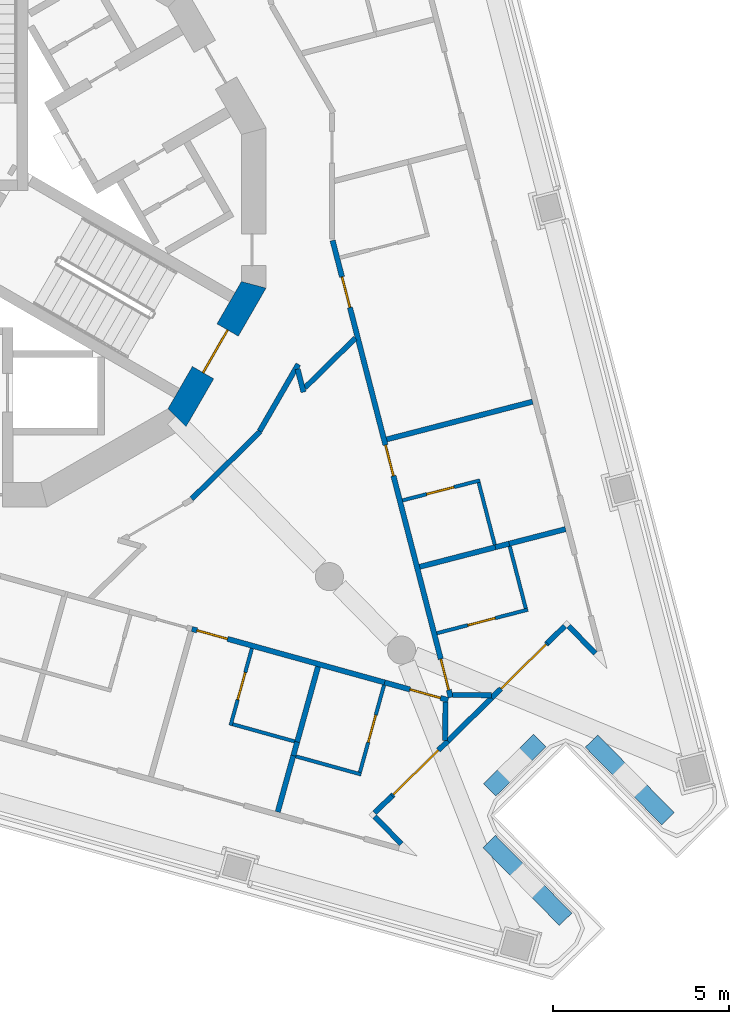
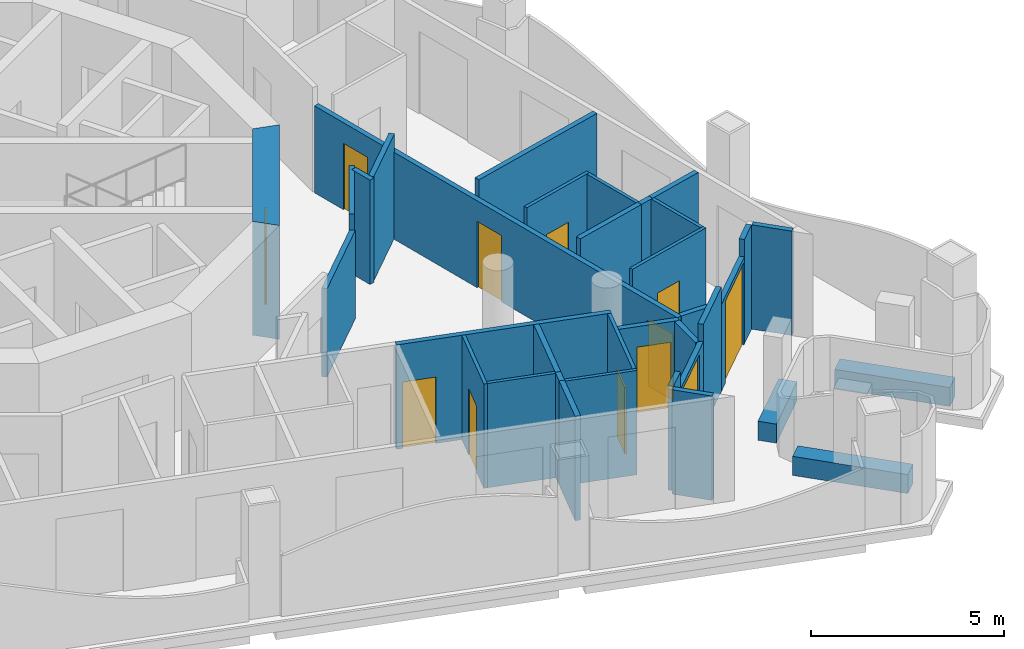
# One storey, part 6 of 15: 35 walls, 12 doors, 12 openings.
"""IFC4 building model written with IfcOpenShell, lengths in metres."""

from ifc_helpers import new_model, si_unit, direction, frame, frame_2d, origin, place, context, subcontext, project, spatial, polyline, rectangle, outline, extrude, material, layer, layer_set, type_object, element, fill, save


model = new_model("IFC4")

# Units and contexts
model_context = context("Model", 3, precision=1e-05, world=origin(), true_north=direction((0.0, 1.0)))
body_context = subcontext(model_context, "Body", "Model", "MODEL_VIEW")
ifc_project = project(units=[si_unit("LENGTHUNIT", "METRE"), si_unit("AREAUNIT", "SQUARE_METRE"), si_unit("VOLUMEUNIT", "CUBIC_METRE"), si_unit("PLANEANGLEUNIT", "RADIAN"), si_unit("MASSUNIT", "GRAM", prefix="KILO")], contexts=[model_context])

# Site, building, storey
site_placement = place(None, origin())
site = spatial("IfcSite", under=ifc_project, at=site_placement, CompositionType="ELEMENT")
building_placement = place(site_placement, origin())
building = spatial("IfcBuilding", under=site, at=building_placement, Name="Trine Commons Tower", CompositionType="ELEMENT")
storey_placement = place(building_placement, frame((0.0, 0.0, 256.5)))
storey = spatial("IfcBuildingStorey", under=building, at=storey_placement, Name="L67", CompositionType="ELEMENT", Elevation=256.5)

# Walls
ifc_material_1 = material(Name="Aluminium-framed insulated wall panel", Category="aluminium")
ifc_layer_1 = layer(ifc_material_1, 0.14990234375)
ifc_layer_set_1 = layer_set([ifc_layer_1], Name="Aluminium-framed insulated wall panel")
wall_type_1 = type_object("IfcWallType", Name="Glazed frame wall 150, EI 60", PredefinedType="SOLIDWALL", material=ifc_layer_set_1)
wall_1_placement = place(storey_placement, frame((97.966796875, 49.731201171875, 0.0), z_axis=(0.0, 0.0, 1.0), x_axis=(-0.700999978355, 0.71316129336, 0.0)))
element("IfcWall", 1, at=wall_1_placement, inside=storey, type_object=wall_type_1, Name="Glazed frame wall R6", PredefinedType="SOLIDWALL", context=body_context, shape_type="SweptSolid", body=[
    extrude(outline(polyline([(0.1494140625, 0.074951171875), (0.1494140625, -0.074951171875), (1.235107421875, -0.074951171875), (1.235107421875, 0.074951171875), (0.1494140625, 0.074951171875)])), origin(), (0.0, 0.0, 1.0), 3.300048828125),
])
wall_2_placement = place(storey_placement, frame((97.073486328125, 50.690185546875, 0.0), z_axis=(0.0, 0.0, 1.0), x_axis=(-0.713183853176, -0.700977026421, 0.0)))
element("IfcWall", 2, at=wall_2_placement, inside=storey, type_object=wall_type_1, Name="Glazed frame wall P2.1", PredefinedType="SOLIDWALL", context=body_context, shape_type="SweptSolid", body=[
    extrude(outline(polyline([(0.110107421875, -0.074951171875), (0.800048828125, -0.074951171875), (0.800048828125, 0.074951171875), (0.110107421875, 0.074951171875), (0.110107421875, -0.074951171875)])), origin(), (0.0, 0.0, 1.0), 3.300048828125),
])

# Wall, opening, door
wall_3_placement = place(storey_placement, frame((96.5029296875, 50.12939453125, 0.0), z_axis=(0.0, 0.0, 1.0), x_axis=(-0.713289197044, -0.70086983198, 0.0)))
wall_3 = element("IfcWall", 3, at=wall_3_placement, inside=storey, type_object=wall_type_1, Name="Glazed frame wall P2.2", PredefinedType="SOLIDWALL", context=body_context, shape_type="SweptSolid", body=[
    extrude(outline(polyline([(0.0, -0.074951171875), (2.221435546875, -0.074951171875), (2.221435546875, 0.074951171875), (0.0, 0.074951171875), (0.0, -0.074951171875)])), origin(), (0.0, 0.0, 1.0), 2.75),
])
opening_1_placement = place(wall_3_placement, frame((0.050048828125, 0.0, 0.0)))
opening_1 = element("IfcOpeningElement", 4, at=opening_1_placement, cuts=wall_3, Name="Opening BD-7P2-01", PredefinedType="OPENING", context=body_context, shape_type="SweptSolid", body=[
    extrude(rectangle(XDim=1.800048828125, YDim=2.60009765625, at=frame_2d((0.89990234375, 1.300048828125))), frame((0.0, 0.0849609375, 0.0), z_axis=(0.0, -1.0, 0.0), x_axis=(1.0, 0.0, 0.0)), (0.0, 0.0, 1.0), 0.169921875),
])
ifc_material_2 = material(Name="Anodised aluminium frame with double glazing", Category="aluminium")
door_type_1 = type_object("IfcDoorType", Name="Sliding loggia door 1800x2600", OperationType="SLIDING_TO_LEFT", PredefinedType="DOOR", material=ifc_material_2)
door_1_placement = place(opening_1_placement, origin())
door_1 = element("IfcDoor", 5, at=door_1_placement, inside=storey, type_object=door_type_1, Name="Loggia door P2 1", OperationType="SLIDING_TO_LEFT", OverallHeight=2.60009765625, OverallWidth=1.800048828125, PredefinedType="DOOR", context=body_context, shape_type="SweptSolid", body=[
    extrude(rectangle(XDim=1.800048828125, YDim=2.60009765625, at=frame_2d((0.89990234375, 1.300048828125))), frame((0.0, 0.02490234375, 0.0), z_axis=(0.0, -1.0, 0.0), x_axis=(1.0, 0.0, 0.0)), (0.0, 0.0, 1.0), 0.050048828125),
])
fill(opening_1, door_1)

# Wall
wall_4_placement = place(storey_placement, frame((94.91845703125, 48.572509765625, 0.0), z_axis=(0.0, 0.0, 1.0), x_axis=(-0.713193839807, -0.700966865737, 0.0)))
element("IfcWall", 6, at=wall_4_placement, inside=storey, type_object=wall_type_1, Name="Glazed frame wall P2.3", PredefinedType="SOLIDWALL", context=body_context, shape_type="SweptSolid", body=[
    extrude(outline(polyline([(0.0, -0.074951171875), (1.757080078125, -0.074951171875), (1.757080078125, 0.074951171875), (0.0, 0.074951171875), (0.0, -0.074951171875)])), origin(), (0.0, 0.0, 1.0), 3.300048828125),
])

# Wall, opening, door
wall_5_placement = place(storey_placement, frame((93.665283203125, 47.3408203125, 0.0), z_axis=(0.0, 0.0, 1.0), x_axis=(-0.713234254618, -0.700925743599, 0.0)))
wall_5 = element("IfcWall", 7, at=wall_5_placement, inside=storey, type_object=wall_type_1, Name="Glazed frame wall P2.4", PredefinedType="SOLIDWALL", context=body_context, shape_type="SweptSolid", body=[
    extrude(outline(polyline([(0.0, -0.074951171875), (2.221435546875, -0.074951171875), (2.221435546875, 0.074951171875), (0.0, 0.074951171875), (0.0, -0.074951171875)])), origin(), (0.0, 0.0, 1.0), 2.75),
])
opening_2_placement = place(wall_5_placement, frame((0.37158203125, 0.0, 0.0)))
opening_2 = element("IfcOpeningElement", 8, at=opening_2_placement, cuts=wall_5, Name="Opening BD-7P2-02", PredefinedType="OPENING", context=body_context, shape_type="SweptSolid", body=[
    extrude(rectangle(XDim=1.800048828125, YDim=2.60009765625, at=frame_2d((0.89990234375, 1.300048828125))), frame((0.0, 0.0849609375, 0.0), z_axis=(0.0, -1.0, 0.0), x_axis=(1.0, 0.0, 0.0)), (0.0, 0.0, 1.0), 0.169921875),
])
door_2_placement = place(opening_2_placement, origin())
door_2 = element("IfcDoor", 9, at=door_2_placement, inside=storey, type_object=door_type_1, Name="Loggia door P2 2", OperationType="SLIDING_TO_LEFT", OverallHeight=2.60009765625, OverallWidth=1.800048828125, PredefinedType="DOOR", context=body_context, shape_type="SweptSolid", body=[
    extrude(rectangle(XDim=1.800048828125, YDim=2.60009765625, at=frame_2d((0.89990234375, 1.300048828125))), frame((0.0, 0.02490234375, 0.0), z_axis=(0.0, -1.0, 0.0), x_axis=(1.0, 0.0, 0.0)), (0.0, 0.0, 1.0), 0.050048828125),
])
fill(opening_2, door_2)

# Walls
wall_6_placement = place(storey_placement, frame((92.080810546875, 45.78369140625, 0.0), z_axis=(0.0, 0.0, 1.0), x_axis=(-0.713333755576, -0.700824480991, 0.0)))
element("IfcWall", 10, at=wall_6_placement, inside=storey, type_object=wall_type_1, Name="Glazed frame wall P2.5", PredefinedType="SOLIDWALL", context=body_context, shape_type="SweptSolid", body=[
    extrude(outline(polyline([(0.68994140625, 0.074951171875), (0.0, 0.074951171875), (0.0, -0.074951171875), (0.68994140625, -0.074951171875), (0.68994140625, 0.074951171875)])), origin(), (0.0, 0.0, 1.0), 3.300048828125),
])
wall_7_placement = place(storey_placement, frame((91.510498046875, 45.2724609375, 0.0), z_axis=(0.0, 0.0, 1.0), x_axis=(0.700999978355, -0.71316129336, 0.0)))
element("IfcWall", 11, at=wall_7_placement, inside=storey, type_object=wall_type_1, Name="Glazed frame wall R8", PredefinedType="SOLIDWALL", context=body_context, shape_type="SweptSolid", body=[
    extrude(outline(polyline([(0.110107421875, 0.074951171875), (0.110107421875, -0.074951171875), (1.19580078125, -0.074951171875), (1.19580078125, 0.074951171875), (0.110107421875, 0.074951171875)])), origin(), (0.0, 0.0, 1.0), 3.300048828125),
])
ifc_material_3 = material(Name="Planter trough, precast concrete C40/50", Category="concrete")
ifc_layer_2 = layer(ifc_material_3, 0.5)
ifc_layer_set_2 = layer_set([ifc_layer_2], Name="Planter trough, precast concrete C40/50")
wall_type_2 = type_object("IfcWallType", Name="Planter trough 500x600", PredefinedType="PARAPET", material=ifc_layer_set_2)
wall_8_placement = place(storey_placement, frame((99.927734375, 45.1318359375, 0.0), z_axis=(0.0, 0.0, 1.0), x_axis=(-0.700897681372, 0.713261831481, 0.0)))
element("IfcWall", 12, at=wall_8_placement, inside=storey, type_object=wall_type_2, Name="Planter 7", PredefinedType="PARAPET", context=body_context, shape_type="SweptSolid", body=[
    extrude(rectangle(XDim=3.10009765625, YDim=0.5, at=frame_2d((1.550048828125, 0.0))), origin(), (0.0, 0.0, 1.0), 0.60009765625),
])
wall_9_placement = place(storey_placement, frame((96.2841796875, 47.355712890625, 0.0), z_axis=(0.0, 0.0, 1.0), x_axis=(-0.713305380591, -0.700853361282, 0.0)))
element("IfcWall", 13, at=wall_9_placement, inside=storey, type_object=wall_type_2, Name="Planter 8", PredefinedType="PARAPET", context=body_context, shape_type="SweptSolid", body=[
    extrude(rectangle(XDim=1.999755859375, YDim=0.5, at=frame_2d((1.0, 0.0))), origin(), (0.0, 0.0, 1.0), 0.60009765625),
])
wall_10_placement = place(storey_placement, frame((94.844970703125, 44.4833984375, 0.0), z_axis=(0.0, 0.0, 1.0), x_axis=(0.700857613291, -0.713301202784, 0.0)))
element("IfcWall", 14, at=wall_10_placement, inside=storey, type_object=wall_type_2, Name="Planter 9", PredefinedType="PARAPET", context=body_context, shape_type="SweptSolid", body=[
    extrude(rectangle(XDim=3.099853515625, YDim=0.5, at=frame_2d((1.5498046875, 0.0))), origin(), (0.0, 0.0, 1.0), 0.60009765625),
])

# Wall, opening, door
ifc_material_4 = material(Name="Concrete C50/60", Category="concrete")
ifc_layer_3 = layer(ifc_material_4, 0.699951171875)
ifc_layer_set_3 = layer_set([ifc_layer_3], Name="Concrete C50/60")
wall_type_3 = type_object("IfcWallType", Name="RC shear wall 700 mm, C50/60", PredefinedType="SHEAR", material=ifc_layer_set_3)
wall_11_placement = place(storey_placement, frame((85.91943359375, 56.452392578125, 0.0), z_axis=(0.0, 0.0, 1.0), x_axis=(0.499983800959, 0.866034756103, 0.0)))
wall_11 = element("IfcWall", 15, at=wall_11_placement, inside=storey, type_object=wall_type_3, Name="Core wall CWG-12 L67", PredefinedType="SHEAR", context=body_context, shape_type="SweptSolid", body=[
    extrude(outline(polyline([(0.0, -0.35009765625), (4.55517578125, -0.35009765625), (4.36767578125, 0.35009765625), (0.1875, 0.35009765625), (0.0, -0.35009765625)])), origin(), (0.0, 0.0, 1.0), 3.60009765625),
])
opening_3_placement = place(wall_11_placement, frame((1.577392578125, 0.0, 0.0)))
opening_3 = element("IfcOpeningElement", 16, at=opening_3_placement, cuts=wall_11, Name="Opening K15.03", PredefinedType="OPENING", context=body_context, shape_type="SweptSolid", body=[
    extrude(rectangle(XDim=1.39990234375, YDim=2.10009765625, at=frame_2d((0.699951171875, 1.050048828125))), frame((0.0, 0.35986328125, 0.0), z_axis=(0.0, -1.0, 0.0), x_axis=(1.0, 0.0, 0.0)), (0.0, 0.0, 1.0), 0.719970703125),
])
ifc_material_5 = material(Name="Steel door leaves, fire-rated", Category="steel")
door_type_2 = type_object("IfcDoorType", Name="Stair door, double leaf 1400 x 2100, FD90", OperationType="DOUBLE_DOOR_SINGLE_SWING", PredefinedType="DOOR", material=ifc_material_5)
door_3_placement = place(opening_3_placement, origin())
door_3 = element("IfcDoor", 17, at=door_3_placement, inside=storey, type_object=door_type_2, Name="Stair door to Exit stair ST3C L67", OperationType="DOUBLE_DOOR_SINGLE_SWING", OverallHeight=2.10009765625, OverallWidth=1.39990234375, PredefinedType="DOOR", context=body_context, shape_type="SweptSolid", body=[
    extrude(rectangle(XDim=1.39990234375, YDim=2.10009765625, at=frame_2d((0.699951171875, 1.050048828125))), frame((0.0, 0.02490234375, 0.0), z_axis=(0.0, -1.0, 0.0), x_axis=(1.0, 0.0, 0.0)), (0.0, 0.0, 1.0), 0.050048828125),
])
fill(opening_3, door_3)

# Wall
ifc_material_6 = material(Name="Gypsum plasterboard on steel stud", Category="steel")
ifc_layer_4 = layer(ifc_material_6, 0.14990234375)
ifc_layer_set_4 = layer_set([ifc_layer_4], Name="Gypsum plasterboard on steel stud")
wall_type_4 = type_object("IfcWallType", Name="Unit and corridor wall 150 mm, EI 60", PredefinedType="PARTITIONING", material=ifc_layer_set_4)
wall_12_placement = place(storey_placement, frame((86.384521484375, 54.2275390625, 0.0), z_axis=(0.0, 0.0, 1.0), x_axis=(0.713113779806, 0.701048312922, 0.0)))
element("IfcWall", 18, at=wall_12_placement, inside=storey, type_object=wall_type_4, Name="Partition 083", PredefinedType="PARTITIONING", context=body_context, shape_type="SweptSolid", body=[
    extrude(rectangle(XDim=2.731689453125, YDim=0.14990234375, at=frame_2d((1.36572265625, 0.0))), origin(), (0.0, 0.0, 1.0), 2.800048828125),
])

# Wall, opening, door
wall_13_placement = place(storey_placement, frame((86.39111328125, 50.529052734375, 0.0), z_axis=(0.0, 0.0, 1.0), x_axis=(0.963638337946, -0.267209943005, 0.0)))
wall_13 = element("IfcWall", 19, at=wall_13_placement, inside=storey, type_object=wall_type_4, Name="Partition 084", PredefinedType="PARTITIONING", context=body_context, shape_type="SweptSolid", body=[
    extrude(rectangle(XDim=5.74609375, YDim=0.14990234375, at=frame_2d((2.873046875, 0.0))), origin(), (0.0, 0.0, 1.0), 3.300048828125),
])
opening_4_placement = place(wall_13_placement, frame((0.14990234375, 0.0, 0.0)))
opening_4 = element("IfcOpeningElement", 20, at=opening_4_placement, cuts=wall_13, Name="Opening D-7C19", PredefinedType="OPENING", context=body_context, shape_type="SweptSolid", body=[
    extrude(rectangle(XDim=0.89990234375, YDim=2.10009765625, at=frame_2d((0.449951171875, 1.050048828125))), frame((0.0, 0.0849609375, 0.0), z_axis=(0.0, -1.0, 0.0), x_axis=(1.0, 0.0, 0.0)), (0.0, 0.0, 1.0), 0.169921875),
])
ifc_material_7 = material(Name="Timber fire door set", Category="wood")
door_type_3 = type_object("IfcDoorType", Name="Bedroom door 900 x 2100, FD30S", OperationType="NOTDEFINED", PredefinedType="DOOR", material=ifc_material_7)
door_4_placement = place(opening_4_placement, frame((0.89990234375, 0.0, 0.0), z_axis=(0.0, 0.0, 1.0), x_axis=(-1.0, 0.0, 0.0)))
door_4 = element("IfcDoor", 21, at=door_4_placement, inside=storey, type_object=door_type_3, Name="Door D-7C19", OperationType="SINGLE_SWING_RIGHT", OverallHeight=2.10009765625, OverallWidth=0.89990234375, PredefinedType="DOOR", context=body_context, shape_type="SweptSolid", body=[
    extrude(rectangle(XDim=0.89990234375, YDim=2.10009765625, at=frame_2d((0.449951171875, 1.050048828125))), frame((0.0, 0.02490234375, 0.0), z_axis=(0.0, -1.0, 0.0), x_axis=(1.0, 0.0, 0.0)), (0.0, 0.0, 1.0), 0.050048828125),
])
fill(opening_4, door_4)

# Walls
wall_14_placement = place(storey_placement, frame((88.31640625, 56.15478515625, 0.0), z_axis=(0.0, 0.0, 1.0), x_axis=(0.500129524705, 0.865950609745, 0.0)))
element("IfcWall", 22, at=wall_14_placement, inside=storey, type_object=wall_type_4, Name="Partition 093", PredefinedType="PARTITIONING", context=body_context, shape_type="SweptSolid", body=[
    extrude(rectangle(XDim=2.19775390625, YDim=0.14990234375, at=frame_2d((1.098876953125, 0.0))), origin(), (0.0, 0.0, 1.0), 3.300048828125),
])
wall_15_placement = place(storey_placement, frame((88.832763671875, 45.327392578125, 0.0), z_axis=(0.0, 0.0, 1.0), x_axis=(0.266961047932, 0.963707320138, 0.0)))
element("IfcWall", 23, at=wall_15_placement, inside=storey, type_object=wall_type_4, Name="Partition 097", PredefinedType="PARTITIONING", context=body_context, shape_type="SweptSolid", body=[
    extrude(rectangle(XDim=1.659912109375, YDim=0.14990234375, at=frame_2d((0.830078125, 0.0))), origin(), (0.0, 0.0, 1.0), 3.300048828125),
])
wall_16_placement = place(storey_placement, frame((89.27587890625, 46.927001953125, 0.0), z_axis=(0.0, 0.0, 1.0), x_axis=(0.267924588636, 0.963439886451, 0.0)))
element("IfcWall", 24, at=wall_16_placement, inside=storey, type_object=wall_type_4, Name="Partition 099", PredefinedType="PARTITIONING", context=body_context, shape_type="SweptSolid", body=[
    extrude(rectangle(XDim=0.403564453125, YDim=0.14990234375, at=frame_2d((0.20166015625, 0.0))), origin(), (0.0, 0.0, 1.0), 3.300048828125),
])
wall_17_placement = place(storey_placement, frame((89.396728515625, 57.92041015625, 0.0), z_axis=(0.0, 0.0, 1.0), x_axis=(0.249398389606, -0.968400972357, 0.0)))
element("IfcWall", 25, at=wall_17_placement, inside=storey, type_object=wall_type_4, Name="Partition 101", PredefinedType="PARTITIONING", context=body_context, shape_type="SweptSolid", body=[
    extrude(rectangle(XDim=0.677490234375, YDim=0.14990234375, at=frame_2d((0.3388671875, 0.0))), origin(), (0.0, 0.0, 1.0), 3.300048828125),
])
wall_18_placement = place(storey_placement, frame((89.36865234375, 47.259765625, 0.0), z_axis=(0.0, 0.0, 1.0), x_axis=(0.266876022504, 0.963730869388, 0.0)))
element("IfcWall", 26, at=wall_18_placement, inside=storey, type_object=wall_type_4, Name="Partition 102", PredefinedType="PARTITIONING", context=body_context, shape_type="SweptSolid", body=[
    extrude(rectangle(XDim=2.27978515625, YDim=0.14990234375, at=frame_2d((1.139892578125, 0.0))), origin(), (0.0, 0.0, 1.0), 3.300048828125),
])
wall_19_placement = place(storey_placement, frame((89.60546875, 57.3896484375, 0.0), z_axis=(0.0, 0.0, 1.0), x_axis=(0.713082264155, 0.701080369535, 0.0)))
element("IfcWall", 27, at=wall_19_placement, inside=storey, type_object=wall_type_4, Name="Partition 106", PredefinedType="PARTITIONING", context=body_context, shape_type="SweptSolid", body=[
    extrude(rectangle(XDim=2.013916015625, YDim=0.14990234375, at=frame_2d((1.0068359375, 0.0))), origin(), (0.0, 0.0, 1.0), 3.300048828125),
])

# Wall, openings, doors
wall_20_placement = place(storey_placement, frame((90.39208984375, 61.576904296875, 0.0), z_axis=(0.0, 0.0, 1.0), x_axis=(0.250222915492, -0.968188252646, 0.0)))
wall_20 = element("IfcWall", 28, at=wall_20_placement, inside=storey, type_object=wall_type_4, Name="Partition 109", PredefinedType="PARTITIONING", context=body_context, shape_type="SweptSolid", body=[
    extrude(rectangle(XDim=13.422607421875, YDim=0.14990234375, at=frame_2d((6.71142578125, 0.0))), origin(), (0.0, 0.0, 1.0), 2.75),
])
opening_5_placement = place(wall_20_placement, frame((1.06884765625, 0.0, 0.0)))
opening_5 = element("IfcOpeningElement", 29, at=opening_5_placement, cuts=wall_20, Name="Opening D-7C15", PredefinedType="OPENING", context=body_context, shape_type="SweptSolid", body=[
    extrude(rectangle(XDim=0.89990234375, YDim=2.10009765625, at=frame_2d((0.449951171875, 1.050048828125))), frame((0.0, 0.0849609375, 0.0), z_axis=(0.0, -1.0, 0.0), x_axis=(1.0, 0.0, 0.0)), (0.0, 0.0, 1.0), 0.169921875),
])
opening_6_placement = place(wall_20_placement, frame((6.011962890625, 0.0, 0.0)))
opening_6 = element("IfcOpeningElement", 30, at=opening_6_placement, cuts=wall_20, Name="Opening D-7C16", PredefinedType="OPENING", context=body_context, shape_type="SweptSolid", body=[
    extrude(rectangle(XDim=0.89990234375, YDim=2.10009765625, at=frame_2d((0.449951171875, 1.050048828125))), frame((0.0, 0.0849609375, 0.0), z_axis=(0.0, -1.0, 0.0), x_axis=(1.0, 0.0, 0.0)), (0.0, 0.0, 1.0), 0.169921875),
])
opening_7_placement = place(wall_20_placement, frame((12.297607421875, 0.0, 0.0)))
opening_7 = element("IfcOpeningElement", 31, at=opening_7_placement, cuts=wall_20, Name="Opening D-7C17", PredefinedType="OPENING", context=body_context, shape_type="SweptSolid", body=[
    extrude(rectangle(XDim=0.89990234375, YDim=2.10009765625, at=frame_2d((0.449951171875, 1.050048828125))), frame((0.0, 0.0849609375, 0.0), z_axis=(0.0, -1.0, 0.0), x_axis=(1.0, 0.0, 0.0)), (0.0, 0.0, 1.0), 0.169921875),
])
door_5_placement = place(opening_5_placement, origin())
door_5 = element("IfcDoor", 32, at=door_5_placement, inside=storey, type_object=door_type_3, Name="Door D-7C15", OperationType="SINGLE_SWING_LEFT", OverallHeight=2.10009765625, OverallWidth=0.89990234375, PredefinedType="DOOR", context=body_context, shape_type="SweptSolid", body=[
    extrude(rectangle(XDim=0.89990234375, YDim=2.10009765625, at=frame_2d((0.449951171875, 1.050048828125))), frame((0.0, 0.02490234375, 0.0), z_axis=(0.0, -1.0, 0.0), x_axis=(1.0, 0.0, 0.0)), (0.0, 0.0, 1.0), 0.050048828125),
])
fill(opening_5, door_5)
door_6_placement = place(opening_6_placement, origin())
door_6 = element("IfcDoor", 33, at=door_6_placement, inside=storey, type_object=door_type_3, Name="Door D-7C16", OperationType="SINGLE_SWING_LEFT", OverallHeight=2.10009765625, OverallWidth=0.89990234375, PredefinedType="DOOR", context=body_context, shape_type="SweptSolid", body=[
    extrude(rectangle(XDim=0.89990234375, YDim=2.10009765625, at=frame_2d((0.449951171875, 1.050048828125))), frame((0.0, 0.02490234375, 0.0), z_axis=(0.0, -1.0, 0.0), x_axis=(1.0, 0.0, 0.0)), (0.0, 0.0, 1.0), 0.050048828125),
])
fill(opening_6, door_6)
door_7_placement = place(opening_7_placement, origin())
door_7 = element("IfcDoor", 34, at=door_7_placement, inside=storey, type_object=door_type_3, Name="Door D-7C17", OperationType="SINGLE_SWING_RIGHT", OverallHeight=2.10009765625, OverallWidth=0.89990234375, PredefinedType="DOOR", context=body_context, shape_type="SweptSolid", body=[
    extrude(rectangle(XDim=0.89990234375, YDim=2.10009765625, at=frame_2d((0.449951171875, 1.050048828125))), frame((0.0, 0.02490234375, 0.0), z_axis=(0.0, -1.0, 0.0), x_axis=(1.0, 0.0, 0.0)), (0.0, 0.0, 1.0), 0.050048828125),
])
fill(opening_7, door_7)

# Wall
wall_21_placement = place(storey_placement, frame((91.9296875, 55.919921875, 0.0), z_axis=(0.0, 0.0, 1.0), x_axis=(0.968143339783, 0.250396632634, 0.0)))
element("IfcWall", 35, at=wall_21_placement, inside=storey, type_object=wall_type_4, Name="Partition 114", PredefinedType="PARTITIONING", context=body_context, shape_type="SweptSolid", body=[
    extrude(rectangle(XDim=4.28515625, YDim=0.14990234375, at=frame_2d((2.142578125, 0.0))), origin(), (0.0, 0.0, 1.0), 3.300048828125),
])

# Wall, opening, door
wall_22_placement = place(storey_placement, frame((91.8720703125, 49.009033203125, 0.0), z_axis=(0.0, 0.0, 1.0), x_axis=(0.963678404511, -0.26706540899, 0.0)))
wall_22 = element("IfcWall", 36, at=wall_22_placement, inside=storey, type_object=wall_type_4, Name="Partition 115", PredefinedType="PARTITIONING", context=body_context, shape_type="SweptSolid", body=[
    extrude(rectangle(XDim=1.872314453125, YDim=0.14990234375, at=frame_2d((0.93603515625, 0.0))), origin(), (0.0, 0.0, 1.0), 2.75),
])
opening_8_placement = place(wall_22_placement, frame((0.747314453125, 0.0, 0.0)))
opening_8 = element("IfcOpeningElement", 37, at=opening_8_placement, cuts=wall_22, Name="Opening D-7C18", PredefinedType="OPENING", context=body_context, shape_type="SweptSolid", body=[
    extrude(rectangle(XDim=0.89990234375, YDim=2.10009765625, at=frame_2d((0.449951171875, 1.050048828125))), frame((0.0, 0.0849609375, 0.0), z_axis=(0.0, -1.0, 0.0), x_axis=(1.0, 0.0, 0.0)), (0.0, 0.0, 1.0), 0.169921875),
])
door_8_placement = place(opening_8_placement, frame((0.89990234375, 0.0, 0.0), z_axis=(0.0, 0.0, 1.0), x_axis=(-1.0, 0.0, 0.0)))
door_8 = element("IfcDoor", 38, at=door_8_placement, inside=storey, type_object=door_type_3, Name="Door D-7C18", OperationType="SINGLE_SWING_LEFT", OverallHeight=2.10009765625, OverallWidth=0.89990234375, PredefinedType="DOOR", context=body_context, shape_type="SweptSolid", body=[
    extrude(rectangle(XDim=0.89990234375, YDim=2.10009765625, at=frame_2d((0.449951171875, 1.050048828125))), frame((0.0, 0.02490234375, 0.0), z_axis=(0.0, -1.0, 0.0), x_axis=(1.0, 0.0, 0.0)), (0.0, 0.0, 1.0), 0.050048828125),
])
fill(opening_8, door_8)

# Walls
wall_23_placement = place(storey_placement, frame((92.86767578125, 52.296875, 0.0), z_axis=(0.0, 0.0, 1.0), x_axis=(0.968121216345, 0.250482155975, 0.0)))
element("IfcWall", 39, at=wall_23_placement, inside=storey, type_object=wall_type_4, Name="Partition 119", PredefinedType="PARTITIONING", context=body_context, shape_type="SweptSolid", body=[
    extrude(rectangle(XDim=2.22412109375, YDim=0.14990234375, at=frame_2d((1.112060546875, 0.0))), origin(), (0.0, 0.0, 1.0), 3.300048828125),
])
for number, where, z_axis, x_axis, name in (
    (40, (93.589599609375, 47.35595703125, 0.0), (0.0, 0.0, 1.0), (0.012226742726, 0.999925250587, 0.0), "Partition 121"),
    (41, (93.806884765625, 48.653564453125, 0.0), (0.0, 0.0, 1.0), (0.999983294214, -0.005780250256, 0.0), "Partition 122"),
):
    element("IfcWall", number, at=place(storey_placement, frame(where, z_axis=z_axis, x_axis=x_axis)), inside=storey, type_object=wall_type_4, Name=name, PredefinedType="PARTITIONING", context=body_context, shape_type="SweptSolid", body=[
        extrude(rectangle(XDim=1.09814453125, YDim=0.14990234375, at=frame_2d((0.549072265625, 0.0))), origin(), (0.0, 0.0, 1.0), 2.75),
    ])
wall_24_placement = place(storey_placement, frame((95.02099609375, 52.85400390625, 0.0), z_axis=(0.0, 0.0, 1.0), x_axis=(0.968343173742, 0.249622711039, 0.0)))
element("IfcWall", 42, at=wall_24_placement, inside=storey, type_object=wall_type_4, Name="Partition 124", PredefinedType="PARTITIONING", context=body_context, shape_type="SweptSolid", body=[
    extrude(rectangle(XDim=0.405029296875, YDim=0.14990234375, at=frame_2d((0.20263671875, 0.0))), origin(), (0.0, 0.0, 1.0), 3.300048828125),
])
wall_25_placement = place(storey_placement, frame((95.405029296875, 52.952880859375, 0.0), z_axis=(0.0, 0.0, 1.0), x_axis=(0.968213134731, 0.250126619403, 0.0)))
element("IfcWall", 43, at=wall_25_placement, inside=storey, type_object=wall_type_4, Name="Partition 125", PredefinedType="PARTITIONING", context=body_context, shape_type="SweptSolid", body=[
    extrude(rectangle(XDim=1.663330078125, YDim=0.14990234375, at=frame_2d((0.83154296875, 0.0))), origin(), (0.0, 0.0, 1.0), 3.300048828125),
])

# Wall, opening, door
ifc_layer_5 = layer(ifc_material_6, 0.10009765625)
ifc_layer_set_5 = layer_set([ifc_layer_5], Name="Gypsum plasterboard on steel stud")
wall_type_5 = type_object("IfcWallType", Name="Unit partition 100 mm, no rating", PredefinedType="PARTITIONING", material=ifc_layer_set_5)
wall_26_placement = place(storey_placement, frame((87.490478515625, 47.785888671875, 0.0), z_axis=(0.0, 0.0, 1.0), x_axis=(0.267056991967, 0.963680737092, 0.0)))
wall_26 = element("IfcWall", 44, at=wall_26_placement, inside=storey, type_object=wall_type_5, Name="Partition 087", PredefinedType="PARTITIONING", context=body_context, shape_type="SweptSolid", body=[
    extrude(rectangle(XDim=2.2744140625, YDim=0.10009765625, at=frame_2d((1.13720703125, 0.0))), origin(), (0.0, 0.0, 1.0), 3.300048828125),
])
opening_9_placement = place(wall_26_placement, frame((0.76220703125, 0.0, 0.0)))
opening_9 = element("IfcOpeningElement", 45, at=opening_9_placement, cuts=wall_26, Name="Opening D-7C40", PredefinedType="OPENING", context=body_context, shape_type="SweptSolid", body=[
    extrude(rectangle(XDim=0.800048828125, YDim=2.10009765625, at=frame_2d((0.39990234375, 1.050048828125))), frame((0.0, 0.06005859375, 0.0), z_axis=(0.0, -1.0, 0.0), x_axis=(1.0, 0.0, 0.0)), (0.0, 0.0, 1.0), 0.1201171875),
])
ifc_material_8 = material(Name="Painted timber", Category="wood")
door_type_4 = type_object("IfcDoorType", Name="Internal door 800 x 2100, NOT RATED", OperationType="NOTDEFINED", PredefinedType="DOOR", material=ifc_material_8)
door_9_placement = place(opening_9_placement, origin())
door_9 = element("IfcDoor", 46, at=door_9_placement, inside=storey, type_object=door_type_4, Name="Door D-7C40", OperationType="SINGLE_SWING_RIGHT", OverallHeight=2.10009765625, OverallWidth=0.800048828125, PredefinedType="DOOR", context=body_context, shape_type="SweptSolid", body=[
    extrude(rectangle(XDim=0.800048828125, YDim=2.10009765625, at=frame_2d((0.39990234375, 1.050048828125))), frame((0.0, 0.02490234375, 0.0), z_axis=(0.0, -1.0, 0.0), x_axis=(1.0, 0.0, 0.0)), (0.0, 0.0, 1.0), 0.050048828125),
])
fill(opening_9, door_9)

# Walls
wall_27_placement = place(storey_placement, frame((87.55224609375, 47.820556640625, 0.0), z_axis=(0.0, 0.0, 1.0), x_axis=(0.963512160179, -0.267664560949, 0.0)))
element("IfcWall", 47, at=wall_27_placement, inside=storey, type_object=wall_type_5, Name="Partition 088", PredefinedType="PARTITIONING", context=body_context, shape_type="SweptSolid", body=[
    extrude(rectangle(XDim=1.8251953125, YDim=0.10009765625, at=frame_2d((0.91259765625, 0.0))), origin(), (0.0, 0.0, 1.0), 3.300048828125),
])
wall_28_placement = place(storey_placement, frame((89.348388671875, 46.906982421875, 0.0), z_axis=(0.0, 0.0, 1.0), x_axis=(0.963625049046, -0.267257862095, 0.0)))
element("IfcWall", 48, at=wall_28_placement, inside=storey, type_object=wall_type_5, Name="Partition 100", PredefinedType="PARTITIONING", context=body_context, shape_type="SweptSolid", body=[
    extrude(rectangle(XDim=1.9248046875, YDim=0.10009765625, at=frame_2d((0.96240234375, 0.0))), origin(), (0.0, 0.0, 1.0), 3.300048828125),
])

# Wall, opening, door
wall_29_placement = place(storey_placement, frame((91.16845703125, 46.4541015625, 0.0), z_axis=(0.0, 0.0, 1.0), x_axis=(0.266973908606, 0.96370375745, 0.0)))
wall_29 = element("IfcWall", 49, at=wall_29_placement, inside=storey, type_object=wall_type_5, Name="Partition 112", PredefinedType="PARTITIONING", context=body_context, shape_type="SweptSolid", body=[
    extrude(rectangle(XDim=2.5751953125, YDim=0.10009765625, at=frame_2d((1.28759765625, 0.0))), origin(), (0.0, 0.0, 1.0), 3.300048828125),
])
opening_10_placement = place(wall_29_placement, frame((0.8876953125, 0.0, 0.0)))
opening_10 = element("IfcOpeningElement", 50, at=opening_10_placement, cuts=wall_29, Name="Opening D-7C39", PredefinedType="OPENING", context=body_context, shape_type="SweptSolid", body=[
    extrude(rectangle(XDim=0.800048828125, YDim=2.10009765625, at=frame_2d((0.39990234375, 1.050048828125))), frame((0.0, 0.06005859375, 0.0), z_axis=(0.0, -1.0, 0.0), x_axis=(1.0, 0.0, 0.0)), (0.0, 0.0, 1.0), 0.1201171875),
])
door_10_placement = place(opening_10_placement, frame((0.800048828125, 0.0, 0.0), z_axis=(0.0, 0.0, 1.0), x_axis=(-1.0, 0.0, 0.0)))
door_10 = element("IfcDoor", 51, at=door_10_placement, inside=storey, type_object=door_type_4, Name="Door D-7C39", OperationType="SINGLE_SWING_LEFT", OverallHeight=2.10009765625, OverallWidth=0.800048828125, PredefinedType="DOOR", context=body_context, shape_type="SweptSolid", body=[
    extrude(rectangle(XDim=0.800048828125, YDim=2.10009765625, at=frame_2d((0.39990234375, 1.050048828125))), frame((0.0, 0.02490234375, 0.0), z_axis=(0.0, -1.0, 0.0), x_axis=(1.0, 0.0, 0.0)), (0.0, 0.0, 1.0), 0.050048828125),
])
fill(opening_10, door_10)

wall_30_placement = place(storey_placement, frame((92.378662109375, 54.184814453125, 0.0), z_axis=(0.0, 0.0, 1.0), x_axis=(0.968154087165, 0.250355074856, 0.0)))
wall_30 = element("IfcWall", 52, at=wall_30_placement, inside=storey, type_object=wall_type_5, Name="Partition 116", PredefinedType="PARTITIONING", context=body_context, shape_type="SweptSolid", body=[
    extrude(rectangle(XDim=2.275146484375, YDim=0.10009765625, at=frame_2d((1.1376953125, 0.0))), origin(), (0.0, 0.0, 1.0), 3.300048828125),
])
opening_11_placement = place(wall_30_placement, frame((0.712646484375, 0.0, 0.0)))
opening_11 = element("IfcOpeningElement", 53, at=opening_11_placement, cuts=wall_30, Name="Opening D-7C37", PredefinedType="OPENING", context=body_context, shape_type="SweptSolid", body=[
    extrude(rectangle(XDim=0.800048828125, YDim=2.10009765625, at=frame_2d((0.39990234375, 1.050048828125))), frame((0.0, 0.06005859375, 0.0), z_axis=(0.0, -1.0, 0.0), x_axis=(1.0, 0.0, 0.0)), (0.0, 0.0, 1.0), 0.1201171875),
])
door_11_placement = place(opening_11_placement, origin())
door_11 = element("IfcDoor", 54, at=door_11_placement, inside=storey, type_object=door_type_4, Name="Door D-7C37", OperationType="SINGLE_SWING_LEFT", OverallHeight=2.10009765625, OverallWidth=0.800048828125, PredefinedType="DOOR", context=body_context, shape_type="SweptSolid", body=[
    extrude(rectangle(XDim=0.800048828125, YDim=2.10009765625, at=frame_2d((0.39990234375, 1.050048828125))), frame((0.0, 0.02490234375, 0.0), z_axis=(0.0, -1.0, 0.0), x_axis=(1.0, 0.0, 0.0)), (0.0, 0.0, 1.0), 0.050048828125),
])
fill(opening_11, door_11)

wall_31_placement = place(storey_placement, frame((93.355712890625, 50.40869140625, 0.0), z_axis=(0.0, 0.0, 1.0), x_axis=(0.968128980119, 0.250452146832, 0.0)))
wall_31 = element("IfcWall", 55, at=wall_31_placement, inside=storey, type_object=wall_type_5, Name="Partition 120", PredefinedType="PARTITIONING", context=body_context, shape_type="SweptSolid", body=[
    extrude(rectangle(XDim=2.6748046875, YDim=0.10009765625, at=frame_2d((1.33740234375, 0.0))), origin(), (0.0, 0.0, 1.0), 3.300048828125),
])
opening_12_placement = place(wall_31_placement, frame((0.91259765625, 0.0, 0.0)))
opening_12 = element("IfcOpeningElement", 56, at=opening_12_placement, cuts=wall_31, Name="Opening D-7C38", PredefinedType="OPENING", context=body_context, shape_type="SweptSolid", body=[
    extrude(rectangle(XDim=0.800048828125, YDim=2.10009765625, at=frame_2d((0.39990234375, 1.050048828125))), frame((0.0, 0.06005859375, 0.0), z_axis=(0.0, -1.0, 0.0), x_axis=(1.0, 0.0, 0.0)), (0.0, 0.0, 1.0), 0.1201171875),
])
door_12_placement = place(opening_12_placement, frame((0.800048828125, 0.0, 0.0), z_axis=(0.0, 0.0, 1.0), x_axis=(-1.0, 0.0, 0.0)))
door_12 = element("IfcDoor", 57, at=door_12_placement, inside=storey, type_object=door_type_4, Name="Door D-7C38", OperationType="SINGLE_SWING_RIGHT", OverallHeight=2.10009765625, OverallWidth=0.800048828125, PredefinedType="DOOR", context=body_context, shape_type="SweptSolid", body=[
    extrude(rectangle(XDim=0.800048828125, YDim=2.10009765625, at=frame_2d((0.39990234375, 1.050048828125))), frame((0.0, 0.02490234375, 0.0), z_axis=(0.0, -1.0, 0.0), x_axis=(1.0, 0.0, 0.0)), (0.0, 0.0, 1.0), 0.050048828125),
])
fill(opening_12, door_12)

# Walls
wall_32_placement = place(storey_placement, frame((94.54541015625, 54.693603515625, 0.0), z_axis=(0.0, 0.0, 1.0), x_axis=(0.250270413218, -0.968175975878, 0.0)))
element("IfcWall", 58, at=wall_32_placement, inside=storey, type_object=wall_type_5, Name="Partition 123", PredefinedType="PARTITIONING", context=body_context, shape_type="SweptSolid", body=[
    extrude(rectangle(XDim=1.8251953125, YDim=0.10009765625, at=frame_2d((0.91259765625, 0.0))), origin(), (0.0, 0.0, 1.0), 3.300048828125),
])
wall_33_placement = place(storey_placement, frame((95.427734375, 52.88134765625, 0.0), z_axis=(0.0, 0.0, 1.0), x_axis=(0.250302828805, -0.968167595973, 0.0)))
element("IfcWall", 59, at=wall_33_placement, inside=storey, type_object=wall_type_5, Name="Partition 126", PredefinedType="PARTITIONING", context=body_context, shape_type="SweptSolid", body=[
    extrude(rectangle(XDim=1.824951171875, YDim=0.10009765625, at=frame_2d((0.91259765625, 0.0))), origin(), (0.0, 0.0, 1.0), 3.300048828125),
])

save(model, "model.ifc")
